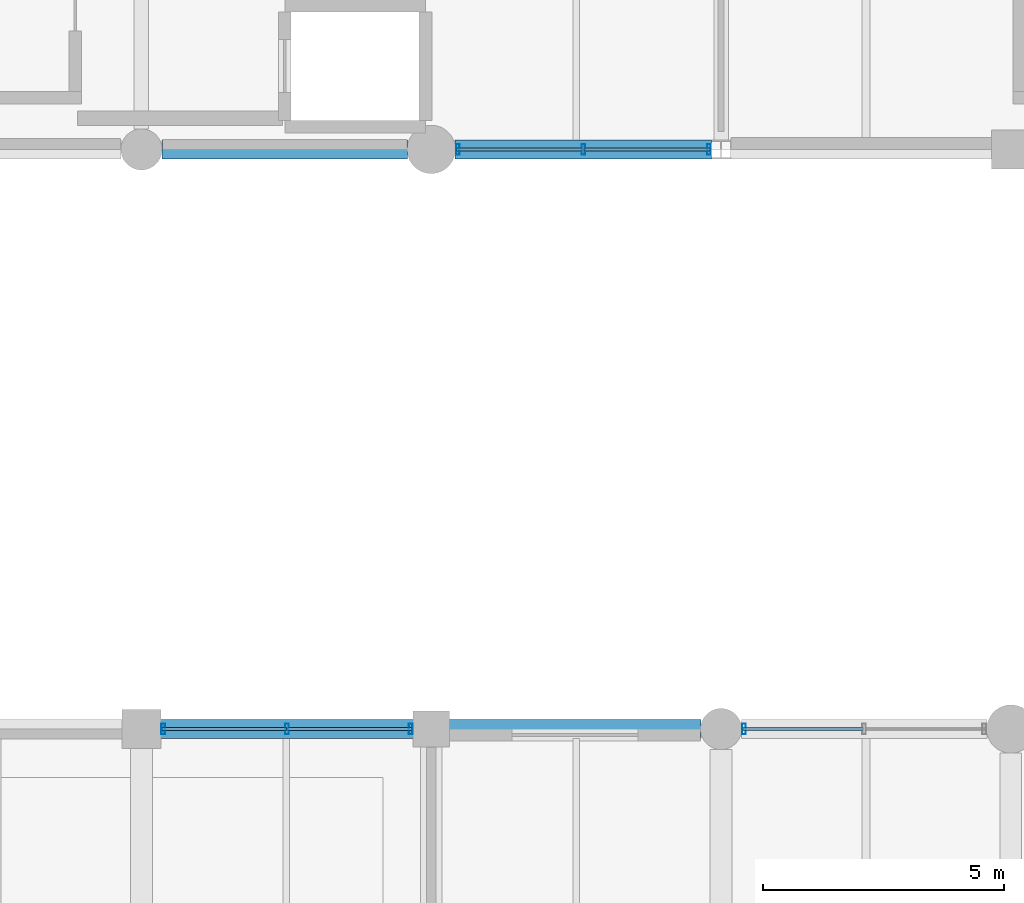
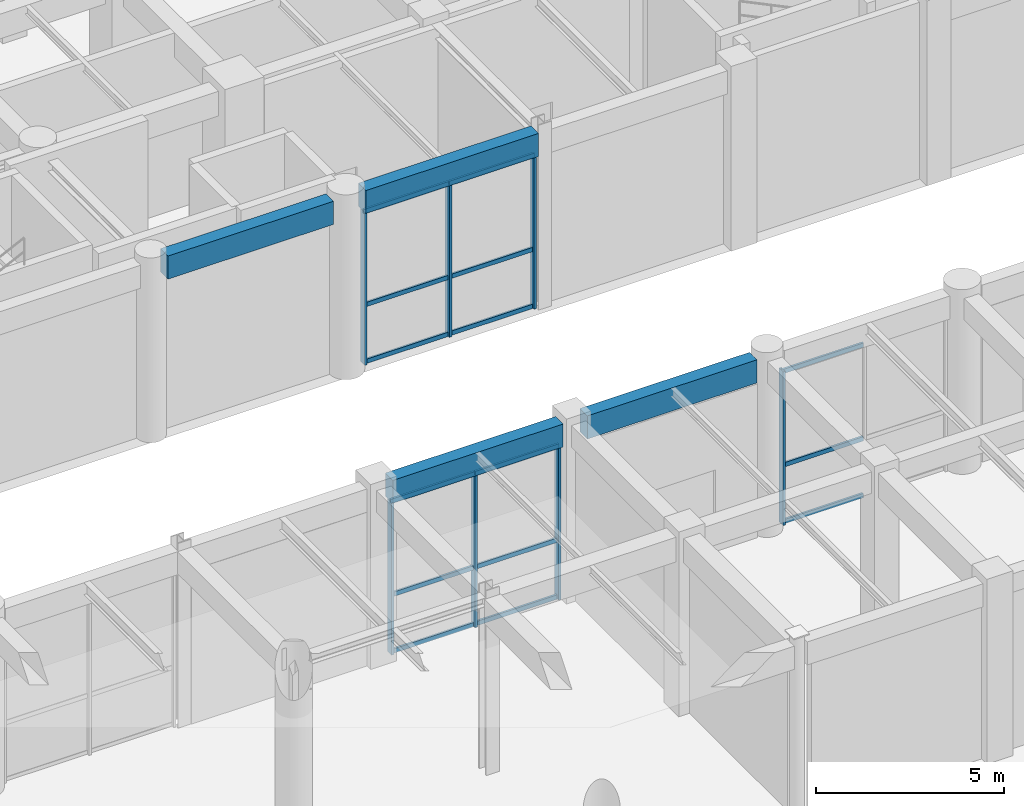
# One storey, part 47 of 106: 22 members, 4 beams, 3 elements without a shape of their own.
"""IFC4 building model written with IfcOpenShell, lengths in metres."""

from ifc_helpers import new_model, si_unit, direction, frame, origin, origin_2d, place, context, subcontext, project, spatial, rectangle, hollow_rectangle, extrude, material, material_profile, profile_set, type_object, element, aggregate, save


model = new_model("IFC4")

# Units and contexts
model_context = context("Model", 3, precision=1e-05, world=origin(), true_north=direction((0.0, 1.0)))
body_context = subcontext(model_context, "Body", "Model", "MODEL_VIEW")
ifc_project = project(units=[si_unit("LENGTHUNIT", "METRE"), si_unit("AREAUNIT", "SQUARE_METRE"), si_unit("VOLUMEUNIT", "CUBIC_METRE"), si_unit("PLANEANGLEUNIT", "RADIAN"), si_unit("MASSUNIT", "GRAM", prefix="KILO"), si_unit("THERMODYNAMICTEMPERATUREUNIT", "KELVIN"), si_unit("POWERUNIT", "WATT")], contexts=[model_context])

# Site, building, storey
site_placement = place(None, origin())
site = spatial("IfcSite", under=ifc_project, at=site_placement, CompositionType="ELEMENT")
building_placement = place(site_placement, origin())
building = spatial("IfcBuilding", under=site, at=building_placement, Name="Phaisarnlok Congress Hotel", CompositionType="ELEMENT")
storey_placement = place(building_placement, origin())
storey = spatial("IfcBuildingStorey", under=building, at=storey_placement, Name="L00", CompositionType="ELEMENT", Elevation=0.0)

# Curtain wall, members
ifc_material_1 = material(Name="Thermally Broken Unitised Aluminium & Low-E Glazing", Category="aluminium")
curtain_wall_type_1 = type_object("IfcCurtainWallType", Name="CW-UNIT-05", PredefinedType="NOTDEFINED", material=ifc_material_1)
curtain_wall_1_placement = place(storey_placement, origin())
curtain_wall_1 = element("IfcCurtainWall", 1, at=curtain_wall_1_placement, inside=storey, type_object=curtain_wall_type_1, Name="Unitised curtain wall CW-05 (L00)", PredefinedType="NOTDEFINED")
ifc_material_2 = material(Name="Anodised Aluminium Alloy 6063-T6", Category="aluminium")
ifc_material_profile_1 = material_profile(ifc_material_2, hollow_rectangle(XDim=0.074951171875, YDim=0.219970703125, WallThickness=0.0048828125, at=origin_2d()), Name="ALU-M 75x220x5")
ifc_profile_set_1 = profile_set([ifc_material_profile_1], Name="Anodised Aluminium Alloy 6063-T6")
member_type_1 = type_object("IfcMemberType", Name="CWM-220", PredefinedType="MULLION", material=ifc_profile_set_1)
member_1_placement = place(storey_placement, frame((120.550048828125, 108.0, 0.0), z_axis=(0.0, 0.0, 1.0), x_axis=(1.0, 0.0, 0.0)))
member_1 = element("IfcMember", 2, at=member_1_placement, type_object=member_type_1, Name="Curtain wall mullion CWM-02", PredefinedType="MULLION", context=body_context, shape_type="SweptSolid", body=[
    extrude(hollow_rectangle(XDim=0.074951171875, YDim=0.219970703125, WallThickness=0.0048828125, at=origin_2d()), origin(), (0.0, 0.0, 1.0), 4.989990234375),
])
member_2_placement = place(storey_placement, frame((123.149658203125, 108.0, 0.0), z_axis=(0.0, 0.0, 1.0), x_axis=(1.0, 0.0, 0.0)))
member_2 = element("IfcMember", 3, at=member_2_placement, type_object=member_type_1, Name="Curtain wall mullion CWM-02", PredefinedType="MULLION", context=body_context, shape_type="SweptSolid", body=[
    extrude(hollow_rectangle(XDim=0.074951171875, YDim=0.219970703125, WallThickness=0.0048828125, at=origin_2d()), origin(), (0.0, 0.0, 1.0), 4.989990234375),
])
member_3_placement = place(storey_placement, frame((125.74951171875, 108.0, 0.0), z_axis=(0.0, 0.0, 1.0), x_axis=(1.0, 0.0, 0.0)))
member_3 = element("IfcMember", 4, at=member_3_placement, type_object=member_type_1, Name="Curtain wall mullion CWM-02", PredefinedType="MULLION", context=body_context, shape_type="SweptSolid", body=[
    extrude(hollow_rectangle(XDim=0.074951171875, YDim=0.219970703125, WallThickness=0.0048828125, at=origin_2d()), origin(), (0.0, 0.0, 1.0), 4.989990234375),
])

# Curtain wall, member
curtain_wall_type_2 = type_object("IfcCurtainWallType", Name="CW-UNIT-01", PredefinedType="NOTDEFINED", material=ifc_material_1)
curtain_wall_2_placement = place(storey_placement, origin())
curtain_wall_2 = element("IfcCurtainWall", 5, at=curtain_wall_2_placement, inside=storey, type_object=curtain_wall_type_2, Name="Unitised curtain wall CW-01 (L00)", PredefinedType="NOTDEFINED")
member_4_placement = place(storey_placement, frame((126.47509765625, 96.0, 0.0), z_axis=(0.0, 0.0, 1.0), x_axis=(-1.0, 0.0, 0.0)))
member_4 = element("IfcMember", 6, at=member_4_placement, type_object=member_type_1, Name="Curtain wall mullion CWM-02", PredefinedType="MULLION", context=body_context, shape_type="SweptSolid", body=[
    extrude(hollow_rectangle(XDim=0.074951171875, YDim=0.219970703125, WallThickness=0.0048828125, at=origin_2d()), origin(), (0.0, 0.0, 1.0), 4.989990234375),
])

# Curtain wall, members
curtain_wall_type_3 = type_object("IfcCurtainWallType", Name="CW-UNIT-03", PredefinedType="NOTDEFINED", material=ifc_material_1)
curtain_wall_3_placement = place(storey_placement, origin())
curtain_wall_3 = element("IfcCurtainWall", 7, at=curtain_wall_3_placement, inside=storey, type_object=curtain_wall_type_3, Name="Unitised curtain wall CW-03 (L00)", PredefinedType="NOTDEFINED")
member_5_placement = place(storey_placement, frame((119.574951171875, 96.0, 0.0), z_axis=(0.0, 0.0, 1.0), x_axis=(-1.0, 0.0, 0.0)))
member_5 = element("IfcMember", 8, at=member_5_placement, type_object=member_type_1, Name="Curtain wall mullion CWM-02", PredefinedType="MULLION", context=body_context, shape_type="SweptSolid", body=[
    extrude(hollow_rectangle(XDim=0.074951171875, YDim=0.219970703125, WallThickness=0.0048828125, at=origin_2d()), origin(), (0.0, 0.0, 1.0), 4.989990234375),
])
member_6_placement = place(storey_placement, frame((117.012451171875, 96.0, 0.0), z_axis=(0.0, 0.0, 1.0), x_axis=(-1.0, 0.0, 0.0)))
member_6 = element("IfcMember", 9, at=member_6_placement, type_object=member_type_1, Name="Curtain wall mullion CWM-02", PredefinedType="MULLION", context=body_context, shape_type="SweptSolid", body=[
    extrude(hollow_rectangle(XDim=0.074951171875, YDim=0.219970703125, WallThickness=0.0048828125, at=origin_2d()), origin(), (0.0, 0.0, 1.0), 4.989990234375),
])
member_7_placement = place(storey_placement, frame((114.449951171875, 96.0, 0.0), z_axis=(0.0, 0.0, 1.0), x_axis=(-1.0, 0.0, 0.0)))
member_7 = element("IfcMember", 10, at=member_7_placement, type_object=member_type_1, Name="Curtain wall mullion CWM-02", PredefinedType="MULLION", context=body_context, shape_type="SweptSolid", body=[
    extrude(hollow_rectangle(XDim=0.074951171875, YDim=0.219970703125, WallThickness=0.0048828125, at=origin_2d()), origin(), (0.0, 0.0, 1.0), 4.989990234375),
])

# Member
ifc_material_profile_2 = material_profile(ifc_material_2, hollow_rectangle(XDim=0.06494140625, YDim=0.139892578125, WallThickness=0.00390625, at=origin_2d()), Name="ALU-T 65x140x4")
ifc_profile_set_2 = profile_set([ifc_material_profile_2], Name="Anodised Aluminium Alloy 6063-T6")
member_type_2 = type_object("IfcMemberType", Name="CWT-150", PredefinedType="USERDEFINED", material=ifc_profile_set_2)
member_8_placement = place(storey_placement, frame((120.52490234375, 108.0, 0.050048828125), z_axis=(1.0, 0.0, 0.0), x_axis=(0.0, 1.0, 0.0)))
member_8 = element("IfcMember", 11, at=member_8_placement, type_object=member_type_2, Name="Curtain wall transom CWT-01", ObjectType="TRANSOM", PredefinedType="USERDEFINED", context=body_context, shape_type="SweptSolid", body=[
    extrude(hollow_rectangle(XDim=0.06494140625, YDim=0.139892578125, WallThickness=0.00390625, at=origin_2d()), origin(), (0.0, 0.0, 1.0), 2.60986328125),
])

member_9_placement = place(storey_placement, frame((120.52490234375, 108.0, 1.896240234375), z_axis=(1.0, 0.0, 0.0), x_axis=(0.0, 1.0, 0.0)))
member_9 = element("IfcMember", 12, at=member_9_placement, type_object=member_type_2, Name="Curtain wall transom CWT-01", ObjectType="TRANSOM", PredefinedType="USERDEFINED", context=body_context, shape_type="SweptSolid", body=[
    extrude(hollow_rectangle(XDim=0.06494140625, YDim=0.139892578125, WallThickness=0.00390625, at=origin_2d()), origin(), (0.0, 0.0, 1.0), 2.60986328125),
])

member_10_placement = place(storey_placement, frame((120.52490234375, 108.0, 4.93994140625), z_axis=(1.0, 0.0, 0.0), x_axis=(0.0, 1.0, 0.0)))
member_10 = element("IfcMember", 13, at=member_10_placement, type_object=member_type_2, Name="Curtain wall transom CWT-01", ObjectType="TRANSOM", PredefinedType="USERDEFINED", context=body_context, shape_type="SweptSolid", body=[
    extrude(hollow_rectangle(XDim=0.06494140625, YDim=0.139892578125, WallThickness=0.00390625, at=origin_2d()), origin(), (0.0, 0.0, 1.0), 2.60986328125),
])

member_11_placement = place(storey_placement, frame((123.164794921875, 108.0, 0.050048828125), z_axis=(1.0, 0.0, 0.0), x_axis=(0.0, 1.0, 0.0)))
member_11 = element("IfcMember", 14, at=member_11_placement, type_object=member_type_2, Name="Curtain wall transom CWT-01", ObjectType="TRANSOM", PredefinedType="USERDEFINED", context=body_context, shape_type="SweptSolid", body=[
    extrude(hollow_rectangle(XDim=0.06494140625, YDim=0.139892578125, WallThickness=0.00390625, at=origin_2d()), origin(), (0.0, 0.0, 1.0), 2.609619140625),
])

member_12_placement = place(storey_placement, frame((123.164794921875, 108.0, 1.896240234375), z_axis=(1.0, 0.0, 0.0), x_axis=(0.0, 1.0, 0.0)))
member_12 = element("IfcMember", 15, at=member_12_placement, type_object=member_type_2, Name="Curtain wall transom CWT-01", ObjectType="TRANSOM", PredefinedType="USERDEFINED", context=body_context, shape_type="SweptSolid", body=[
    extrude(hollow_rectangle(XDim=0.06494140625, YDim=0.139892578125, WallThickness=0.00390625, at=origin_2d()), origin(), (0.0, 0.0, 1.0), 2.609619140625),
])

member_13_placement = place(storey_placement, frame((123.164794921875, 108.0, 4.93994140625), z_axis=(1.0, 0.0, 0.0), x_axis=(0.0, 1.0, 0.0)))
member_13 = element("IfcMember", 16, at=member_13_placement, type_object=member_type_2, Name="Curtain wall transom CWT-01", ObjectType="TRANSOM", PredefinedType="USERDEFINED", context=body_context, shape_type="SweptSolid", body=[
    extrude(hollow_rectangle(XDim=0.06494140625, YDim=0.139892578125, WallThickness=0.00390625, at=origin_2d()), origin(), (0.0, 0.0, 1.0), 2.609619140625),
])

aggregate(curtain_wall_1, [member_1, member_2, member_3, member_8, member_9, member_10, member_11, member_12, member_13])

member_14_placement = place(storey_placement, frame((128.947509765625, 96.0, 0.050048828125), z_axis=(-1.0, 0.0, 0.0), x_axis=(0.0, -1.0, 0.0)))
member_14 = element("IfcMember", 17, at=member_14_placement, type_object=member_type_2, Name="Curtain wall transom CWT-01", ObjectType="TRANSOM", PredefinedType="USERDEFINED", context=body_context, shape_type="SweptSolid", body=[
    extrude(hollow_rectangle(XDim=0.06494140625, YDim=0.139892578125, WallThickness=0.00390625, at=origin_2d()), origin(), (0.0, 0.0, 1.0), 2.49755859375),
])

member_15_placement = place(storey_placement, frame((128.947509765625, 96.0, 1.896240234375), z_axis=(-1.0, 0.0, 0.0), x_axis=(0.0, -1.0, 0.0)))
member_15 = element("IfcMember", 18, at=member_15_placement, type_object=member_type_2, Name="Curtain wall transom CWT-01", ObjectType="TRANSOM", PredefinedType="USERDEFINED", context=body_context, shape_type="SweptSolid", body=[
    extrude(hollow_rectangle(XDim=0.06494140625, YDim=0.139892578125, WallThickness=0.00390625, at=origin_2d()), origin(), (0.0, 0.0, 1.0), 2.49755859375),
])

member_16_placement = place(storey_placement, frame((128.947509765625, 96.0, 4.93994140625), z_axis=(-1.0, 0.0, 0.0), x_axis=(0.0, -1.0, 0.0)))
member_16 = element("IfcMember", 19, at=member_16_placement, type_object=member_type_2, Name="Curtain wall transom CWT-01", ObjectType="TRANSOM", PredefinedType="USERDEFINED", context=body_context, shape_type="SweptSolid", body=[
    extrude(hollow_rectangle(XDim=0.06494140625, YDim=0.139892578125, WallThickness=0.00390625, at=origin_2d()), origin(), (0.0, 0.0, 1.0), 2.49755859375),
])

aggregate(curtain_wall_2, [member_4, member_14, member_15, member_16])

member_17_placement = place(storey_placement, frame((119.60009765625, 96.0, 0.050048828125), z_axis=(-1.0, 0.0, 0.0), x_axis=(0.0, -1.0, 0.0)))
member_17 = element("IfcMember", 20, at=member_17_placement, type_object=member_type_2, Name="Curtain wall transom CWT-01", ObjectType="TRANSOM", PredefinedType="USERDEFINED", context=body_context, shape_type="SweptSolid", body=[
    extrude(hollow_rectangle(XDim=0.06494140625, YDim=0.139892578125, WallThickness=0.00390625, at=origin_2d()), origin(), (0.0, 0.0, 1.0), 2.572509765625),
])

member_18_placement = place(storey_placement, frame((119.60009765625, 96.0, 1.896240234375), z_axis=(-1.0, 0.0, 0.0), x_axis=(0.0, -1.0, 0.0)))
member_18 = element("IfcMember", 21, at=member_18_placement, type_object=member_type_2, Name="Curtain wall transom CWT-01", ObjectType="TRANSOM", PredefinedType="USERDEFINED", context=body_context, shape_type="SweptSolid", body=[
    extrude(hollow_rectangle(XDim=0.06494140625, YDim=0.139892578125, WallThickness=0.00390625, at=origin_2d()), origin(), (0.0, 0.0, 1.0), 2.572509765625),
])

member_19_placement = place(storey_placement, frame((119.60009765625, 96.0, 4.93994140625), z_axis=(-1.0, 0.0, 0.0), x_axis=(0.0, -1.0, 0.0)))
member_19 = element("IfcMember", 22, at=member_19_placement, type_object=member_type_2, Name="Curtain wall transom CWT-01", ObjectType="TRANSOM", PredefinedType="USERDEFINED", context=body_context, shape_type="SweptSolid", body=[
    extrude(hollow_rectangle(XDim=0.06494140625, YDim=0.139892578125, WallThickness=0.00390625, at=origin_2d()), origin(), (0.0, 0.0, 1.0), 2.572509765625),
])

member_20_placement = place(storey_placement, frame((116.99755859375, 96.0, 0.050048828125), z_axis=(-1.0, 0.0, 0.0), x_axis=(0.0, -1.0, 0.0)))
member_20 = element("IfcMember", 23, at=member_20_placement, type_object=member_type_2, Name="Curtain wall transom CWT-01", ObjectType="TRANSOM", PredefinedType="USERDEFINED", context=body_context, shape_type="SweptSolid", body=[
    extrude(hollow_rectangle(XDim=0.06494140625, YDim=0.139892578125, WallThickness=0.00390625, at=origin_2d()), origin(), (0.0, 0.0, 1.0), 2.572509765625),
])

member_21_placement = place(storey_placement, frame((116.99755859375, 96.0, 1.896240234375), z_axis=(-1.0, 0.0, 0.0), x_axis=(0.0, -1.0, 0.0)))
member_21 = element("IfcMember", 24, at=member_21_placement, type_object=member_type_2, Name="Curtain wall transom CWT-01", ObjectType="TRANSOM", PredefinedType="USERDEFINED", context=body_context, shape_type="SweptSolid", body=[
    extrude(hollow_rectangle(XDim=0.06494140625, YDim=0.139892578125, WallThickness=0.00390625, at=origin_2d()), origin(), (0.0, 0.0, 1.0), 2.572509765625),
])

member_22_placement = place(storey_placement, frame((116.99755859375, 96.0, 4.93994140625), z_axis=(-1.0, 0.0, 0.0), x_axis=(0.0, -1.0, 0.0)))
member_22 = element("IfcMember", 25, at=member_22_placement, type_object=member_type_2, Name="Curtain wall transom CWT-01", ObjectType="TRANSOM", PredefinedType="USERDEFINED", context=body_context, shape_type="SweptSolid", body=[
    extrude(hollow_rectangle(XDim=0.06494140625, YDim=0.139892578125, WallThickness=0.00390625, at=origin_2d()), origin(), (0.0, 0.0, 1.0), 2.572509765625),
])

aggregate(curtain_wall_3, [member_5, member_6, member_7, member_17, member_18, member_19, member_20, member_21, member_22])

# Beams
ifc_material_3 = material(Name="Concrete C40/50", Category="concrete")
ifc_material_profile_3 = material_profile(ifc_material_3, rectangle(XDim=0.39990234375, YDim=0.75, at=origin_2d()), Name="RC 400x750")
ifc_profile_set_3 = profile_set([ifc_material_profile_3], Name="Concrete C40/50")
beam_type = type_object("IfcBeamType", Name="SP-RC-400x750", PredefinedType="SPANDREL", material=ifc_profile_set_3)
beam_1_placement = place(storey_placement, frame((114.39501953125, 96.0, 5.364990234375), z_axis=(1.0, 0.0, 0.0), x_axis=(0.0, 1.0, 0.0)))
element("IfcBeam", 26, at=beam_1_placement, inside=storey, type_object=beam_type, Name="Beam SP-02", PredefinedType="SPANDREL", context=body_context, shape_type="SweptSolid", body=[
    extrude(rectangle(XDim=0.39990234375, YDim=0.75, at=origin_2d()), origin(), (0.0, 0.0, 1.0), 5.23486328125),
])
beam_2_placement = place(storey_placement, frame((114.419921875, 108.0, 5.364990234375), z_axis=(1.0, 0.0, 0.0), x_axis=(0.0, 1.0, 0.0)))
element("IfcBeam", 27, at=beam_2_placement, inside=storey, type_object=beam_type, Name="Beam SP-02", PredefinedType="SPANDREL", context=body_context, shape_type="SweptSolid", body=[
    extrude(rectangle(XDim=0.39990234375, YDim=0.75, at=origin_2d()), origin(), (0.0, 0.0, 1.0), 5.0849609375),
])
beam_3_placement = place(storey_placement, frame((120.3701171875, 96.0, 5.364990234375), z_axis=(1.0, 0.0, 0.0), x_axis=(0.0, 1.0, 0.0)))
element("IfcBeam", 28, at=beam_3_placement, inside=storey, type_object=beam_type, Name="Beam SP-02", PredefinedType="SPANDREL", context=body_context, shape_type="SweptSolid", body=[
    extrude(rectangle(XDim=0.39990234375, YDim=0.75, at=origin_2d()), origin(), (0.0, 0.0, 1.0), 5.2099609375),
])
beam_4_placement = place(storey_placement, frame((120.4951171875, 108.0, 5.364990234375), z_axis=(1.0, 0.0, 0.0), x_axis=(0.0, 1.0, 0.0)))
element("IfcBeam", 29, at=beam_4_placement, inside=storey, type_object=beam_type, Name="Beam SP-02", PredefinedType="SPANDREL", context=body_context, shape_type="SweptSolid", body=[
    extrude(rectangle(XDim=0.39990234375, YDim=0.75, at=origin_2d()), origin(), (0.0, 0.0, 1.0), 5.309326171875),
])

save(model, "model.ifc")
